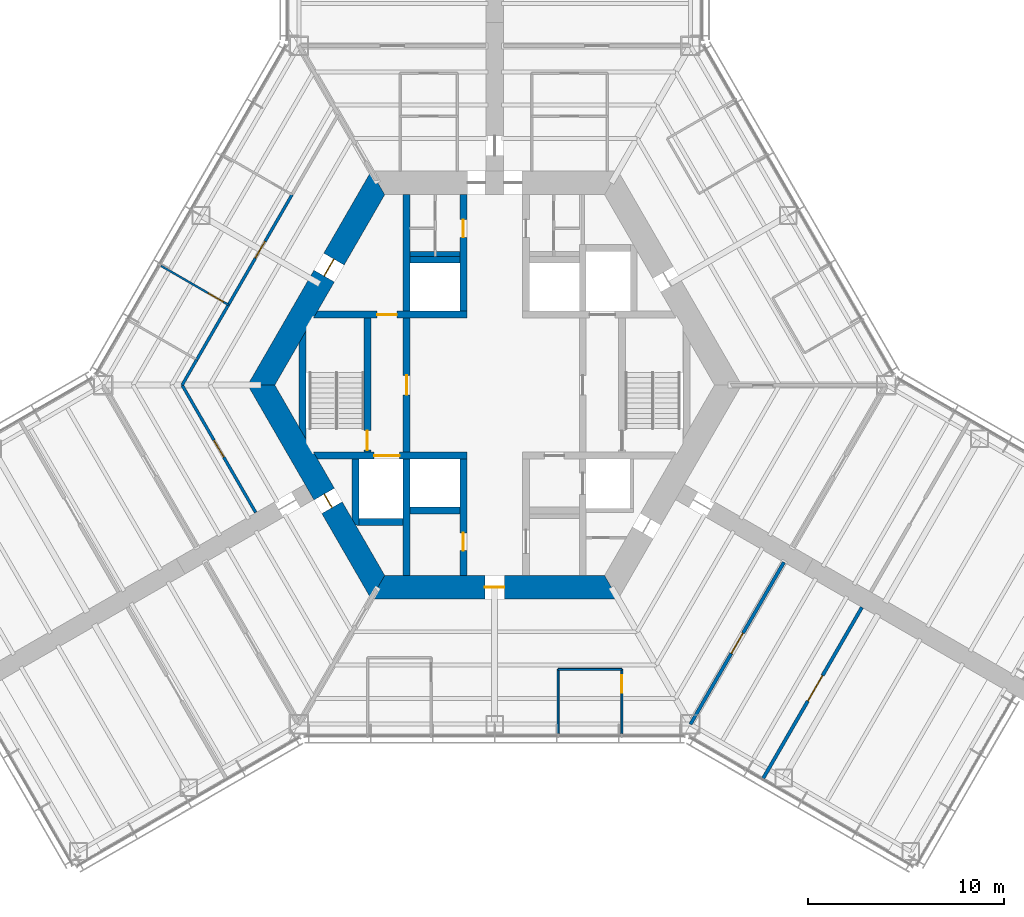
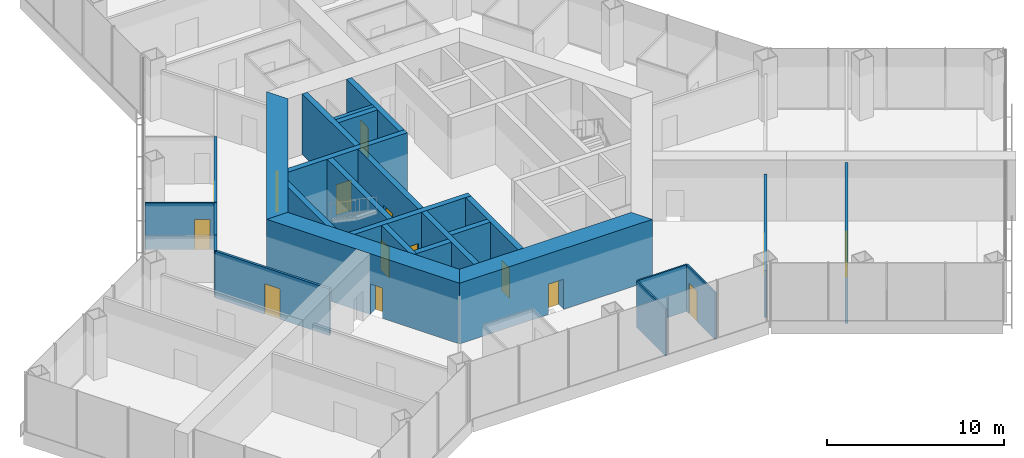
# One storey, part 11 of 17: 27 walls, 15 doors, 15 openings.
"""IFC4 building model written with IfcOpenShell, lengths in metres."""

from ifc_helpers import new_model, si_unit, direction, frame, frame_2d, origin, place, context, subcontext, project, spatial, polyline, rectangle, outline, extrude, material, layer, layer_set, type_object, element, fill, save


model = new_model("IFC4")

# Units and contexts
model_context = context("Model", 3, precision=1e-05, world=origin(), true_north=direction((0.0, 1.0)))
body_context = subcontext(model_context, "Body", "Model", "MODEL_VIEW")
ifc_project = project(units=[si_unit("LENGTHUNIT", "METRE"), si_unit("AREAUNIT", "SQUARE_METRE"), si_unit("VOLUMEUNIT", "CUBIC_METRE"), si_unit("PLANEANGLEUNIT", "RADIAN"), si_unit("MASSUNIT", "GRAM", prefix="KILO")], contexts=[model_context])

# Site, building, storey
site_placement = place(None, origin())
site = spatial("IfcSite", under=ifc_project, at=site_placement, CompositionType="ELEMENT")
building_placement = place(site_placement, origin())
building = spatial("IfcBuilding", under=site, at=building_placement, Name="Kasaneha Research Tower", CompositionType="ELEMENT")
storey_placement = place(building_placement, frame((0.0, 0.0, 43.60009765625)))
storey = spatial("IfcBuildingStorey", under=building, at=storey_placement, Name="L11", CompositionType="ELEMENT", Elevation=43.60009765625)

# Wall, opening, door
ifc_material_1 = material(Name="Concrete Fc100", Category="concrete")
ifc_layer_1 = layer(ifc_material_1, 0.35009765625)
ifc_layer_set_1 = layer_set([ifc_layer_1], Name="Core internal wall 350 Fc100")
wall_type_1 = type_object("IfcWallType", Name="Core internal wall 350 Fc100", PredefinedType="SHEAR", material=ifc_layer_set_1)
wall_1_placement = place(storey_placement, frame((-9.151123046875, 3.60009765625, 0.0), z_axis=(0.0, 0.0, 1.0), x_axis=(1.0, 0.0, 0.0)))
wall_1 = element("IfcWall", 1, at=wall_1_placement, inside=storey, type_object=wall_type_1, Name="Core wall W1W L11", PredefinedType="SHEAR", context=body_context, shape_type="SweptSolid", body=[
    extrude(outline(polyline([(-0.10107421875, -0.175048828125), (3.151123046875, -0.175048828125), (4.151123046875, -0.175048828125), (7.72607421875, -0.175048828125), (7.72607421875, 0.175048828125), (4.151123046875, 0.175048828125), (3.151123046875, 0.175048828125), (0.10107421875, 0.175048828125), (-0.10107421875, -0.175048828125)])), origin(), (0.0, 0.0, 1.0), 4.199951171875),
])
opening_1_placement = place(wall_1_placement, frame((3.151123046875, 0.0, 0.0)))
opening_1 = element("IfcOpeningElement", 2, at=opening_1_placement, cuts=wall_1, Name="Opening L11-D12", PredefinedType="OPENING", context=body_context, shape_type="SweptSolid", body=[
    extrude(rectangle(XDim=1.0, YDim=2.10009765625, at=frame_2d((0.5, 1.050048828125))), frame((0.0, 0.18505859375, 0.0), z_axis=(0.0, -1.0, 0.0), x_axis=(1.0, 0.0, 0.0)), (0.0, 0.0, 1.0), 0.3701171875),
])
ifc_material_2 = material(Name="Steel", Category="steel")
door_type_1 = type_object("IfcDoorType", Name="Specified fire door FD60 1000x2100", OperationType="NOTDEFINED", PredefinedType="DOOR", material=ifc_material_2)
door_1_placement = place(opening_1_placement, origin())
door_1 = element("IfcDoor", 3, at=door_1_placement, inside=storey, type_object=door_type_1, Name="Vestibule to lobby door L11-D12", OperationType="SINGLE_SWING_LEFT", OverallHeight=2.10009765625, OverallWidth=1.0, PredefinedType="DOOR", context=body_context, shape_type="SweptSolid", body=[
    extrude(rectangle(XDim=1.0, YDim=2.10009765625, at=frame_2d((0.5, 1.050048828125))), frame((0.0, 0.02490234375, 0.0), z_axis=(0.0, -1.0, 0.0), x_axis=(1.0, 0.0, 0.0)), (0.0, 0.0, 1.0), 0.050048828125),
])
fill(opening_1, door_1)

wall_2_placement = place(storey_placement, frame((-9.151123046875, -3.60009765625, 0.0), z_axis=(0.0, 0.0, 1.0), x_axis=(1.0, 0.0, 0.0)))
wall_2 = element("IfcWall", 4, at=wall_2_placement, inside=storey, type_object=wall_type_1, Name="Core wall W2W L11", PredefinedType="SHEAR", context=body_context, shape_type="SweptSolid", body=[
    extrude(outline(polyline([(0.10107421875, -0.175048828125), (3.0009765625, -0.175048828125), (4.301025390625, -0.175048828125), (7.72607421875, -0.175048828125), (7.72607421875, 0.175048828125), (4.301025390625, 0.175048828125), (3.0009765625, 0.175048828125), (-0.10107421875, 0.175048828125), (0.10107421875, -0.175048828125)])), origin(), (0.0, 0.0, 1.0), 4.199951171875),
])
opening_2_placement = place(wall_2_placement, frame((3.0009765625, 0.0, 0.0)))
opening_2 = element("IfcOpeningElement", 5, at=opening_2_placement, cuts=wall_2, Name="Opening LD-FL2-L11", PredefinedType="OPENING", context=body_context, shape_type="SweptSolid", body=[
    extrude(rectangle(XDim=1.300048828125, YDim=2.10009765625, at=frame_2d((0.64990234375, 1.050048828125))), frame((0.0, 0.18505859375, 0.0), z_axis=(0.0, -1.0, 0.0), x_axis=(1.0, 0.0, 0.0)), (0.0, 0.0, 1.0), 0.3701171875),
])
ifc_material_3 = material(Name="Steel", Category="steel")
door_type_2 = type_object("IfcDoorType", Name="Lift landing door 1300x2100", OperationType="DOUBLE_DOOR_SLIDING", PredefinedType="DOOR", material=ifc_material_3)
door_2_placement = place(opening_2_placement, origin())
door_2 = element("IfcDoor", 6, at=door_2_placement, inside=storey, type_object=door_type_2, Name="Landing door FL2 LD-FL2-L11", OperationType="DOUBLE_DOOR_SLIDING", OverallHeight=2.10009765625, OverallWidth=1.300048828125, PredefinedType="DOOR", context=body_context, shape_type="SweptSolid", body=[
    extrude(rectangle(XDim=1.300048828125, YDim=2.10009765625, at=frame_2d((0.64990234375, 1.050048828125))), frame((0.0, 0.02490234375, 0.0), z_axis=(0.0, -1.0, 0.0), x_axis=(1.0, 0.0, 0.0)), (0.0, 0.0, 1.0), 0.050048828125),
])
fill(opening_2, door_2)

wall_3_placement = place(storey_placement, frame((-1.60009765625, 3.77490234375, 0.0), z_axis=(0.0, 0.0, 1.0), x_axis=(0.0, 1.0, 0.0)))
wall_3 = element("IfcWall", 7, at=wall_3_placement, inside=storey, type_object=wall_type_1, Name="Core wall CNW L11", PredefinedType="SHEAR", context=body_context, shape_type="SweptSolid", body=[
    extrude(rectangle(XDim=5.9501953125, YDim=0.35009765625, at=frame_2d((2.97509765625, 0.0))), origin(), (0.0, 0.0, 1.0), 4.199951171875),
])
opening_3_placement = place(wall_3_placement, frame((3.77490234375, 0.0, 0.0)))
opening_3 = element("IfcOpeningElement", 8, at=opening_3_placement, cuts=wall_3, Name="Opening L11-D13", PredefinedType="OPENING", context=body_context, shape_type="SweptSolid", body=[
    extrude(rectangle(XDim=0.89990234375, YDim=2.10009765625, at=frame_2d((0.449951171875, 1.050048828125))), frame((0.0, 0.18505859375, 0.0), z_axis=(0.0, -1.0, 0.0), x_axis=(1.0, 0.0, 0.0)), (0.0, 0.0, 1.0), 0.3701171875),
])
ifc_material_4 = material(Name="Steel", Category="steel")
door_type_3 = type_object("IfcDoorType", Name="Toilet door FD20 900x2100", OperationType="NOTDEFINED", PredefinedType="DOOR", material=ifc_material_4)
door_3_placement = place(opening_3_placement, origin())
door_3 = element("IfcDoor", 9, at=door_3_placement, inside=storey, type_object=door_type_3, Name="Men's WC door L11-D13", OperationType="SINGLE_SWING_LEFT", OverallHeight=2.10009765625, OverallWidth=0.89990234375, PredefinedType="DOOR", context=body_context, shape_type="SweptSolid", body=[
    extrude(rectangle(XDim=0.89990234375, YDim=2.10009765625, at=frame_2d((0.449951171875, 1.050048828125))), frame((0.0, 0.02490234375, 0.0), z_axis=(0.0, -1.0, 0.0), x_axis=(1.0, 0.0, 0.0)), (0.0, 0.0, 1.0), 0.050048828125),
])
fill(opening_3, door_3)

wall_4_placement = place(storey_placement, frame((-1.60009765625, -3.77490234375, 0.0), z_axis=(0.0, 0.0, 1.0), x_axis=(0.0, -1.0, 0.0)))
wall_4 = element("IfcWall", 10, at=wall_4_placement, inside=storey, type_object=wall_type_1, Name="Core wall CSW L11", PredefinedType="SHEAR", context=body_context, shape_type="SweptSolid", body=[
    extrude(rectangle(XDim=5.9501953125, YDim=0.35009765625, at=frame_2d((2.97509765625, 0.0))), origin(), (0.0, 0.0, 1.0), 4.199951171875),
])
opening_4_placement = place(wall_4_placement, frame((3.77490234375, 0.0, 0.0)))
opening_4 = element("IfcOpeningElement", 11, at=opening_4_placement, cuts=wall_4, Name="Opening L11-D16", PredefinedType="OPENING", context=body_context, shape_type="SweptSolid", body=[
    extrude(rectangle(XDim=0.89990234375, YDim=2.10009765625, at=frame_2d((0.449951171875, 1.050048828125))), frame((0.0, 0.18505859375, 0.0), z_axis=(0.0, -1.0, 0.0), x_axis=(1.0, 0.0, 0.0)), (0.0, 0.0, 1.0), 0.3701171875),
])
ifc_material_5 = material(Name="Steel", Category="steel")
door_type_4 = type_object("IfcDoorType", Name="Riser access door FD60 900x2100", OperationType="NOTDEFINED", PredefinedType="DOOR", material=ifc_material_5)
door_4_placement = place(opening_4_placement, origin())
door_4 = element("IfcDoor", 12, at=door_4_placement, inside=storey, type_object=door_type_4, Name="Electrical riser door L11-D16", OperationType="SINGLE_SWING_LEFT", OverallHeight=2.10009765625, OverallWidth=0.89990234375, PredefinedType="DOOR", context=body_context, shape_type="SweptSolid", body=[
    extrude(rectangle(XDim=0.89990234375, YDim=2.10009765625, at=frame_2d((0.449951171875, 1.050048828125))), frame((0.0, 0.02490234375, 0.0), z_axis=(0.0, -1.0, 0.0), x_axis=(1.0, 0.0, 0.0)), (0.0, 0.0, 1.0), 0.050048828125),
])
fill(opening_4, door_4)

wall_5_placement = place(storey_placement, frame((-4.5, -3.425048828125, 0.0), z_axis=(0.0, 0.0, 1.0), x_axis=(0.0, 1.0, 0.0)))
wall_5 = element("IfcWall", 13, at=wall_5_placement, inside=storey, type_object=wall_type_1, Name="Core wall LBW L11", PredefinedType="SHEAR", context=body_context, shape_type="SweptSolid", body=[
    extrude(rectangle(XDim=6.85009765625, YDim=0.35009765625, at=frame_2d((3.425048828125, 0.0))), origin(), (0.0, 0.0, 1.0), 4.199951171875),
])
opening_5_placement = place(wall_5_placement, frame((2.925048828125, 0.0, 0.0)))
opening_5 = element("IfcOpeningElement", 14, at=opening_5_placement, cuts=wall_5, Name="Opening L11-D09", PredefinedType="OPENING", context=body_context, shape_type="SweptSolid", body=[
    extrude(rectangle(XDim=1.0, YDim=2.10009765625, at=frame_2d((0.5, 1.050048828125))), frame((0.0, 0.18505859375, 0.0), z_axis=(0.0, -1.0, 0.0), x_axis=(1.0, 0.0, 0.0)), (0.0, 0.0, 1.0), 0.3701171875),
])
door_5_placement = place(opening_5_placement, origin())
door_5 = element("IfcDoor", 15, at=door_5_placement, inside=storey, type_object=door_type_1, Name="Lift lobby door west L11-D09", OperationType="SINGLE_SWING_LEFT", OverallHeight=2.10009765625, OverallWidth=1.0, PredefinedType="DOOR", context=body_context, shape_type="SweptSolid", body=[
    extrude(rectangle(XDim=1.0, YDim=2.10009765625, at=frame_2d((0.5, 1.050048828125))), frame((0.0, 0.02490234375, 0.0), z_axis=(0.0, -1.0, 0.0), x_axis=(1.0, 0.0, 0.0)), (0.0, 0.0, 1.0), 0.050048828125),
])
fill(opening_5, door_5)

wall_6_placement = place(storey_placement, frame((-6.5, -3.425048828125, 0.0), z_axis=(0.0, 0.0, 1.0), x_axis=(0.0, 1.0, 0.0)))
wall_6 = element("IfcWall", 16, at=wall_6_placement, inside=storey, type_object=wall_type_1, Name="Core wall ANW L11", PredefinedType="SHEAR", context=body_context, shape_type="SweptSolid", body=[
    extrude(rectangle(XDim=6.85009765625, YDim=0.35009765625, at=frame_2d((3.425048828125, 0.0))), origin(), (0.0, 0.0, 1.0), 4.199951171875),
])
opening_6_placement = place(wall_6_placement, frame((0.10009765625, 0.0, 0.0)))
opening_6 = element("IfcOpeningElement", 17, at=opening_6_placement, cuts=wall_6, Name="Opening L11-D11", PredefinedType="OPENING", context=body_context, shape_type="SweptSolid", body=[
    extrude(rectangle(XDim=1.0, YDim=2.10009765625, at=frame_2d((0.5, 1.050048828125))), frame((0.0, 0.18505859375, 0.0), z_axis=(0.0, -1.0, 0.0), x_axis=(1.0, 0.0, 0.0)), (0.0, 0.0, 1.0), 0.3701171875),
])
door_6_placement = place(opening_6_placement, origin())
door_6 = element("IfcDoor", 18, at=door_6_placement, inside=storey, type_object=door_type_1, Name="Stair 2 door L11-D11", OperationType="SINGLE_SWING_LEFT", OverallHeight=2.10009765625, OverallWidth=1.0, PredefinedType="DOOR", context=body_context, shape_type="SweptSolid", body=[
    extrude(rectangle(XDim=1.0, YDim=2.10009765625, at=frame_2d((0.5, 1.050048828125))), frame((0.0, 0.02490234375, 0.0), z_axis=(0.0, -1.0, 0.0), x_axis=(1.0, 0.0, 0.0)), (0.0, 0.0, 1.0), 0.050048828125),
])
fill(opening_6, door_6)

# Walls
for number, where, z_axis, x_axis, name in (
    (19, (-4.5, 3.77490234375, 0.0), (0.0, 0.0, 1.0), (0.0, 1.0, 0.0), "Core wall VNW L11"),
    (20, (-4.5, -3.77490234375, 0.0), (0.0, 0.0, 1.0), (0.0, -1.0, 0.0), "Core wall SSW L11"),
):
    element("IfcWall", number, at=place(storey_placement, frame(where, z_axis=z_axis, x_axis=x_axis)), inside=storey, type_object=wall_type_1, Name=name, PredefinedType="SHEAR", context=body_context, shape_type="SweptSolid", body=[
        extrude(rectangle(XDim=5.9501953125, YDim=0.35009765625, at=frame_2d((2.97509765625, 0.0))), origin(), (0.0, 0.0, 1.0), 4.199951171875),
    ])
for number, where, z_axis, x_axis, name in (
    (21, (-4.324951171875, 6.39990234375, 0.0), (0.0, 0.0, 1.0), (1.0, 0.0, 0.0), "Core wall N1N L11"),
    (22, (-4.324951171875, -6.39990234375, 0.0), (0.0, 0.0, 1.0), (1.0, 0.0, 0.0), "Core wall S1S L11"),
):
    element("IfcWall", number, at=place(storey_placement, frame(where, z_axis=z_axis, x_axis=x_axis)), inside=storey, type_object=wall_type_1, Name=name, PredefinedType="SHEAR", context=body_context, shape_type="SweptSolid", body=[
        extrude(rectangle(XDim=2.550048828125, YDim=0.35009765625, at=frame_2d((1.27490234375, 0.0))), origin(), (0.0, 0.0, 1.0), 4.199951171875),
    ])
wall_7_placement = place(storey_placement, frame((-6.925048828125, -7.0, 0.0), z_axis=(0.0, 0.0, 1.0), x_axis=(1.0, 0.0, 0.0)))
element("IfcWall", 23, at=wall_7_placement, inside=storey, type_object=wall_type_1, Name="Core wall F2S L11", PredefinedType="SHEAR", context=body_context, shape_type="SweptSolid", body=[
    extrude(rectangle(XDim=2.25, YDim=0.35009765625, at=frame_2d((1.125, 0.0))), origin(), (0.0, 0.0, 1.0), 4.199951171875),
])
wall_8_placement = place(storey_placement, frame((-7.10009765625, -3.77490234375, 0.0), z_axis=(0.0, 0.0, 1.0), x_axis=(0.0, -1.0, 0.0)))
element("IfcWall", 24, at=wall_8_placement, inside=storey, type_object=wall_type_1, Name="Core wall F2W L11", PredefinedType="SHEAR", context=body_context, shape_type="SweptSolid", body=[
    extrude(outline(polyline([(0.0, -0.175048828125), (3.07421875, -0.175048828125), (3.37744140625, 0.0), (3.39990234375, 0.175048828125), (0.0, 0.175048828125), (0.0, -0.175048828125)])), origin(), (0.0, 0.0, 1.0), 4.199951171875),
])
wall_9_placement = place(storey_placement, frame((-9.807861328125, -2.462158203125, 0.0), z_axis=(0.0, 0.0, 1.0), x_axis=(0.0, 1.0, 0.0)))
element("IfcWall", 25, at=wall_9_placement, inside=storey, type_object=wall_type_1, Name="Core wall STW L11", PredefinedType="SHEAR", context=body_context, shape_type="SweptSolid", body=[
    extrude(outline(polyline([(-0.30322265625, -0.175048828125), (5.2275390625, -0.175048828125), (4.62109375, 0.175048828125), (0.30322265625, 0.175048828125), (-0.30322265625, -0.175048828125)])), origin(), (0.0, 0.0, 1.0), 4.199951171875),
])

# Wall, opening, door
ifc_material_6 = material(Name="Concrete Fc100", Category="concrete")
ifc_layer_2 = layer(ifc_material_6, 1.199951171875)
ifc_layer_set_2 = layer_set([ifc_layer_2], Name="Core wall 1200 Fc100")
wall_type_2 = type_object("IfcWallType", Name="Core wall 1200 Fc100", PredefinedType="SHEAR", material=ifc_layer_set_2)
wall_10_placement = place(storey_placement, frame((-5.961181640625, 10.324951171875, 0.0), z_axis=(0.0, 0.0, 1.0), x_axis=(-0.500004296715, -0.866022923061, 0.0)))
wall_10 = element("IfcWall", 26, at=wall_10_placement, inside=storey, type_object=wall_type_2, Name="Core wall 150 L11", PredefinedType="SHEAR", context=body_context, shape_type="SweptSolid", body=[
    extrude(outline(polyline([(-0.346435546875, -0.60009765625), (4.494140625, -0.60009765625), (5.494140625, -0.60009765625), (12.268798828125, -0.60009765625), (11.575927734375, 0.60009765625), (5.494140625, 0.60009765625), (4.494140625, 0.60009765625), (0.346435546875, 0.60009765625), (-0.346435546875, -0.60009765625)])), origin(), (0.0, 0.0, 1.0), 4.199951171875),
])
opening_7_placement = place(wall_10_placement, frame((4.494140625, 0.0, 0.0)))
opening_7 = element("IfcOpeningElement", 27, at=opening_7_placement, cuts=wall_10, Name="Opening L11-D07", PredefinedType="OPENING", context=body_context, shape_type="SweptSolid", body=[
    extrude(rectangle(XDim=1.0, YDim=2.10009765625, at=frame_2d((0.5, 1.050048828125))), frame((0.0, 0.60986328125, 0.0), z_axis=(0.0, -1.0, 0.0), x_axis=(1.0, 0.0, 0.0)), (0.0, 0.0, 1.0), 1.219970703125),
])
ifc_material_7 = material(Name="Steel", Category="steel")
door_type_5 = type_object("IfcDoorType", Name="Fire door FD20 1000x2100", OperationType="NOTDEFINED", PredefinedType="DOOR", material=ifc_material_7)
door_7_placement = place(opening_7_placement, origin())
door_7 = element("IfcDoor", 28, at=door_7_placement, inside=storey, type_object=door_type_5, Name="Vestibule door L11-D07", OperationType="SINGLE_SWING_LEFT", OverallHeight=2.10009765625, OverallWidth=1.0, PredefinedType="DOOR", context=body_context, shape_type="SweptSolid", body=[
    extrude(rectangle(XDim=1.0, YDim=2.10009765625, at=frame_2d((0.5, 1.050048828125))), frame((0.0, 0.02490234375, 0.0), z_axis=(0.0, -1.0, 0.0), x_axis=(1.0, 0.0, 0.0)), (0.0, 0.0, 1.0), 0.050048828125),
])
fill(opening_7, door_7)

wall_11_placement = place(storey_placement, frame((-11.92236328125, 0.0, 0.0), z_axis=(0.0, 0.0, 1.0), x_axis=(0.500004296715, -0.866022923061, 0.0)))
wall_11 = element("IfcWall", 29, at=wall_11_placement, inside=storey, type_object=wall_type_2, Name="Core wall 210 L11", PredefinedType="SHEAR", context=body_context, shape_type="SweptSolid", body=[
    extrude(outline(polyline([(-0.346435546875, -0.60009765625), (6.43115234375, -0.60009765625), (7.231201171875, -0.60009765625), (12.268798828125, -0.60009765625), (11.575927734375, 0.60009765625), (7.231201171875, 0.60009765625), (6.43115234375, 0.60009765625), (0.346435546875, 0.60009765625), (-0.346435546875, -0.60009765625)])), origin(), (0.0, 0.0, 1.0), 4.199951171875),
])
opening_8_placement = place(wall_11_placement, frame((6.43115234375, 0.0, 0.0)))
opening_8 = element("IfcOpeningElement", 30, at=opening_8_placement, cuts=wall_11, Name="Opening L11-D06", PredefinedType="OPENING", context=body_context, shape_type="SweptSolid", body=[
    extrude(rectangle(XDim=0.800048828125, YDim=2.10009765625, at=frame_2d((0.39990234375, 1.050048828125))), frame((0.0, 0.60986328125, 0.0), z_axis=(0.0, -1.0, 0.0), x_axis=(1.0, 0.0, 0.0)), (0.0, 0.0, 1.0), 1.219970703125),
])
ifc_material_8 = material(Name="Steel", Category="steel")
door_type_6 = type_object("IfcDoorType", Name="Riser access door FD60 800x2100", OperationType="NOTDEFINED", PredefinedType="DOOR", material=ifc_material_8)
door_8_placement = place(opening_8_placement, origin())
door_8 = element("IfcDoor", 31, at=door_8_placement, inside=storey, type_object=door_type_6, Name="Duct riser door L11-D06", OperationType="SINGLE_SWING_RIGHT", OverallHeight=2.10009765625, OverallWidth=0.800048828125, PredefinedType="DOOR", context=body_context, shape_type="SweptSolid", body=[
    extrude(rectangle(XDim=0.800048828125, YDim=2.10009765625, at=frame_2d((0.39990234375, 1.050048828125))), frame((0.0, 0.02490234375, 0.0), z_axis=(0.0, -1.0, 0.0), x_axis=(1.0, 0.0, 0.0)), (0.0, 0.0, 1.0), 0.050048828125),
])
fill(opening_8, door_8)

wall_12_placement = place(storey_placement, frame((-5.961181640625, -10.324951171875, 0.0), z_axis=(0.0, 0.0, 1.0), x_axis=(1.0, 0.0, 0.0)))
wall_12 = element("IfcWall", 32, at=wall_12_placement, inside=storey, type_object=wall_type_2, Name="Core wall 270 L11", PredefinedType="SHEAR", context=body_context, shape_type="SweptSolid", body=[
    extrude(outline(polyline([(-0.346435546875, -0.60009765625), (5.461181640625, -0.60009765625), (6.461181640625, -0.60009765625), (12.268798828125, -0.60009765625), (11.575927734375, 0.60009765625), (6.461181640625, 0.60009765625), (5.461181640625, 0.60009765625), (0.346435546875, 0.60009765625), (-0.346435546875, -0.60009765625)])), origin(), (0.0, 0.0, 1.0), 4.199951171875),
])
opening_9_placement = place(wall_12_placement, frame((5.461181640625, 0.0, 0.0)))
opening_9 = element("IfcOpeningElement", 33, at=opening_9_placement, cuts=wall_12, Name="Opening L11-D03", PredefinedType="OPENING", context=body_context, shape_type="SweptSolid", body=[
    extrude(rectangle(XDim=1.0, YDim=2.10009765625, at=frame_2d((0.5, 1.050048828125))), frame((0.0, 0.60986328125, 0.0), z_axis=(0.0, -1.0, 0.0), x_axis=(1.0, 0.0, 0.0)), (0.0, 0.0, 1.0), 1.219970703125),
])
door_9_placement = place(opening_9_placement, origin())
door_9 = element("IfcDoor", 34, at=door_9_placement, inside=storey, type_object=door_type_5, Name="Core door south L11-D03", OperationType="SINGLE_SWING_LEFT", OverallHeight=2.10009765625, OverallWidth=1.0, PredefinedType="DOOR", context=body_context, shape_type="SweptSolid", body=[
    extrude(rectangle(XDim=1.0, YDim=2.10009765625, at=frame_2d((0.5, 1.050048828125))), frame((0.0, 0.02490234375, 0.0), z_axis=(0.0, -1.0, 0.0), x_axis=(1.0, 0.0, 0.0)), (0.0, 0.0, 1.0), 0.050048828125),
])
fill(opening_9, door_9)

ifc_material_9 = material(Name="Gypsum board on steel studs, two layers each side", Category="steel")
ifc_layer_3 = layer(ifc_material_9, 0.175048828125)
ifc_layer_set_3 = layer_set([ifc_layer_3], Name="Laboratory fire partition 175")
wall_type_3 = type_object("IfcWallType", Name="Laboratory fire partition 175", PredefinedType="PARTITIONING", material=ifc_layer_set_3)
wall_13_placement = place(storey_placement, frame((14.77490234375, -9.050048828125, 0.0), z_axis=(0.0, 0.0, 1.0), x_axis=(-0.499993908199, -0.866028920859, 0.0)))
wall_13 = element("IfcWall", 35, at=wall_13_placement, inside=storey, type_object=wall_type_3, Name="Laboratory fire partition LABC-S L11", PredefinedType="PARTITIONING", context=body_context, shape_type="SweptSolid", body=[
    extrude(rectangle(XDim=9.5498046875, YDim=0.175048828125, at=frame_2d((4.77490234375, 0.0))), origin(), (0.0, 0.0, 1.0), 3.23779296875),
])
opening_10_placement = place(wall_13_placement, frame((4.175048828125, 0.0, 0.0)))
opening_10 = element("IfcOpeningElement", 36, at=opening_10_placement, cuts=wall_13, Name="Opening L11-D48", PredefinedType="OPENING", context=body_context, shape_type="SweptSolid", body=[
    extrude(rectangle(XDim=1.199951171875, YDim=2.10009765625, at=frame_2d((0.60009765625, 1.050048828125))), frame((0.0, 0.09765625, 0.0), z_axis=(0.0, -1.0, 0.0), x_axis=(1.0, 0.0, 0.0)), (0.0, 0.0, 1.0), 0.195068359375),
])
ifc_material_10 = material(Name="Steel", Category="steel")
door_type_7 = type_object("IfcDoorType", Name="Laboratory door FD60 1200x2100", OperationType="DOUBLE_DOOR_SINGLE_SWING", PredefinedType="DOOR", material=ifc_material_10)
door_10_placement = place(opening_10_placement, origin())
door_10 = element("IfcDoor", 37, at=door_10_placement, inside=storey, type_object=door_type_7, Name="Laboratory door L11-D48", OperationType="DOUBLE_DOOR_SINGLE_SWING", OverallHeight=2.10009765625, OverallWidth=1.199951171875, PredefinedType="DOOR", context=body_context, shape_type="SweptSolid", body=[
    extrude(rectangle(XDim=1.199951171875, YDim=2.10009765625, at=frame_2d((0.60009765625, 1.050048828125))), frame((0.0, 0.02490234375, 0.0), z_axis=(0.0, -1.0, 0.0), x_axis=(1.0, 0.0, 0.0)), (0.0, 0.0, 1.0), 0.050048828125),
])
fill(opening_10, door_10)

wall_14_placement = place(storey_placement, frame((18.7587890625, -11.349853515625, 0.0), z_axis=(0.0, 0.0, 1.0), x_axis=(-0.500005203629, -0.866022399447, 0.0)))
wall_14 = element("IfcWall", 38, at=wall_14_placement, inside=storey, type_object=wall_type_3, Name="Laboratory fire partition INSC-S L11", PredefinedType="PARTITIONING", context=body_context, shape_type="SweptSolid", body=[
    extrude(rectangle(XDim=10.14013671875, YDim=0.175048828125, at=frame_2d((5.070068359375, 0.0))), origin(), (0.0, 0.0, 1.0), 4.02978515625),
])
opening_11_placement = place(wall_14_placement, frame((4.02490234375, 0.0, 0.0)))
opening_11 = element("IfcOpeningElement", 39, at=opening_11_placement, cuts=wall_14, Name="Opening L11-D51", PredefinedType="OPENING", context=body_context, shape_type="SweptSolid", body=[
    extrude(rectangle(XDim=1.5, YDim=2.10009765625, at=frame_2d((0.75, 1.050048828125))), frame((0.0, 0.09765625, 0.0), z_axis=(0.0, -1.0, 0.0), x_axis=(1.0, 0.0, 0.0)), (0.0, 0.0, 1.0), 0.195068359375),
])
ifc_material_11 = material(Name="Steel", Category="steel")
door_type_8 = type_object("IfcDoorType", Name="Laboratory door FD60 1500x2100", OperationType="DOUBLE_DOOR_SINGLE_SWING", PredefinedType="DOOR", material=ifc_material_11)
door_11_placement = place(opening_11_placement, origin())
door_11 = element("IfcDoor", 40, at=door_11_placement, inside=storey, type_object=door_type_8, Name="Instrument room door L11-D51", OperationType="DOUBLE_DOOR_SINGLE_SWING", OverallHeight=2.10009765625, OverallWidth=1.5, PredefinedType="DOOR", context=body_context, shape_type="SweptSolid", body=[
    extrude(rectangle(XDim=1.5, YDim=2.10009765625, at=frame_2d((0.75, 1.050048828125))), frame((0.0, 0.02490234375, 0.0), z_axis=(0.0, -1.0, 0.0), x_axis=(1.0, 0.0, 0.0)), (0.0, 0.0, 1.0), 0.050048828125),
])
fill(opening_11, door_11)

ifc_material_12 = material(Name="Gypsum board on steel studs, one layer each side", Category="steel")
ifc_layer_4 = layer(ifc_material_12, 0.10009765625)
ifc_layer_set_4 = layer_set([ifc_layer_4], Name="Office partition 100")
wall_type_4 = type_object("IfcWallType", Name="Office partition 100", PredefinedType="PARTITIONING", material=ifc_layer_set_4)
wall_15_placement = place(storey_placement, frame((-17.038818359375, 6.0888671875, 0.0), z_axis=(0.0, 0.0, 1.0), x_axis=(0.865455715078, -0.500985434159, 0.0)))
wall_15 = element("IfcWall", 41, at=wall_15_placement, inside=storey, type_object=wall_type_4, Name="Office partition FBN08 L11", PredefinedType="PARTITIONING", context=body_context, shape_type="SweptSolid", body=[
    extrude(rectangle(XDim=3.9755859375, YDim=0.10009765625, at=frame_2d((1.98779296875, 0.0))), origin(), (0.0, 0.0, 1.0), 3.22998046875),
])
opening_12_placement = place(wall_15_placement, frame((2.775634765625, 0.0, 0.0)))
opening_12 = element("IfcOpeningElement", 42, at=opening_12_placement, cuts=wall_15, Name="Opening L11-D42", PredefinedType="OPENING", context=body_context, shape_type="SweptSolid", body=[
    extrude(rectangle(XDim=0.89990234375, YDim=2.10009765625, at=frame_2d((0.449951171875, 1.050048828125))), frame((0.0, 0.06005859375, 0.0), z_axis=(0.0, -1.0, 0.0), x_axis=(1.0, 0.0, 0.0)), (0.0, 0.0, 1.0), 0.1201171875),
])
ifc_material_13 = material(Name="Timber veneer", Category="wood")
door_type_9 = type_object("IfcDoorType", Name="Office door 900x2100", OperationType="SINGLE_SWING_LEFT", PredefinedType="DOOR", material=ifc_material_13)
door_12_placement = place(opening_12_placement, origin())
door_12 = element("IfcDoor", 43, at=door_12_placement, inside=storey, type_object=door_type_9, Name="Principal investigator office door L11-D42", OperationType="SINGLE_SWING_RIGHT", OverallHeight=2.10009765625, OverallWidth=0.89990234375, PredefinedType="DOOR", context=body_context, shape_type="SweptSolid", body=[
    extrude(rectangle(XDim=0.89990234375, YDim=2.10009765625, at=frame_2d((0.449951171875, 1.050048828125))), frame((0.0, 0.02490234375, 0.0), z_axis=(0.0, -1.0, 0.0), x_axis=(1.0, 0.0, 0.0)), (0.0, 0.0, 1.0), 0.050048828125),
])
fill(opening_12, door_12)

# Walls
wall_16_placement = place(storey_placement, frame((3.246337890625, -17.800537109375, 0.0), z_axis=(0.0, 0.0, 1.0), x_axis=(0.0, 1.0, 0.0)))
element("IfcWall", 44, at=wall_16_placement, inside=storey, type_object=wall_type_4, Name="Office partition FCS04 L11", PredefinedType="PARTITIONING", context=body_context, shape_type="SweptSolid", body=[
    extrude(rectangle(XDim=3.280029296875, YDim=0.10009765625, at=frame_2d((1.64013671875, 0.0))), origin(), (0.0, 0.0, 1.0), 3.22998046875),
])
wall_17_placement = place(storey_placement, frame((3.246337890625, -14.5205078125, 0.0), z_axis=(0.0, 0.0, 1.0), x_axis=(1.0, 0.0, 0.0)))
element("IfcWall", 45, at=wall_17_placement, inside=storey, type_object=wall_type_4, Name="Office partition FCS05 L11", PredefinedType="PARTITIONING", context=body_context, shape_type="SweptSolid", body=[
    extrude(rectangle(XDim=3.24658203125, YDim=0.10009765625, at=frame_2d((1.623291015625, 0.0))), origin(), (0.0, 0.0, 1.0), 3.22998046875),
])

# Wall, opening, door
wall_18_placement = place(storey_placement, frame((6.492919921875, -14.5205078125, 0.0), z_axis=(0.0, 0.0, 1.0), x_axis=(0.0, -1.0, 0.0)))
wall_18 = element("IfcWall", 46, at=wall_18_placement, inside=storey, type_object=wall_type_4, Name="Office partition FCS06 L11", PredefinedType="PARTITIONING", context=body_context, shape_type="SweptSolid", body=[
    extrude(rectangle(XDim=3.280029296875, YDim=0.10009765625, at=frame_2d((1.64013671875, 0.0))), origin(), (0.0, 0.0, 1.0), 3.22998046875),
])
opening_13_placement = place(wall_18_placement, frame((0.300048828125, 0.0, 0.0)))
opening_13 = element("IfcOpeningElement", 47, at=opening_13_placement, cuts=wall_18, Name="Opening L11-D50", PredefinedType="OPENING", context=body_context, shape_type="SweptSolid", body=[
    extrude(rectangle(XDim=0.89990234375, YDim=2.10009765625, at=frame_2d((0.449951171875, 1.050048828125))), frame((0.0, 0.06005859375, 0.0), z_axis=(0.0, -1.0, 0.0), x_axis=(1.0, 0.0, 0.0)), (0.0, 0.0, 1.0), 0.1201171875),
])
door_13_placement = place(opening_13_placement, origin())
door_13 = element("IfcDoor", 48, at=door_13_placement, inside=storey, type_object=door_type_9, Name="Principal investigator office door L11-D50", OperationType="SINGLE_SWING_LEFT", OverallHeight=2.10009765625, OverallWidth=0.89990234375, PredefinedType="DOOR", context=body_context, shape_type="SweptSolid", body=[
    extrude(rectangle(XDim=0.89990234375, YDim=2.10009765625, at=frame_2d((0.449951171875, 1.050048828125))), frame((0.0, 0.02490234375, 0.0), z_axis=(0.0, -1.0, 0.0), x_axis=(1.0, 0.0, 0.0)), (0.0, 0.0, 1.0), 0.050048828125),
])
fill(opening_13, door_13)

# Walls
ifc_material_14 = material(Name="Gypsum board on steel studs, two layers each side", Category="steel")
ifc_layer_5 = layer(ifc_material_14, 0.14990234375)
ifc_layer_set_5 = layer_set([ifc_layer_5], Name="Suite partition 150")
wall_type_5 = type_object("IfcWallType", Name="Suite partition 150", PredefinedType="PARTITIONING", material=ifc_layer_set_5)
wall_19_placement = place(storey_placement, frame((-15.2216796875, 1.28515625, 0.0), z_axis=(0.0, 0.0, 1.0), x_axis=(0.499969057507, 0.866043267704, 0.0)))
element("IfcWall", 49, at=wall_19_placement, inside=storey, type_object=wall_type_5, Name="Suite partition FBN02 L11", PredefinedType="PARTITIONING", context=body_context, shape_type="SweptSolid", body=[
    extrude(rectangle(XDim=3.256591796875, YDim=0.14990234375, at=frame_2d((1.62841796875, 0.0))), origin(), (0.0, 0.0, 1.0), 3.22998046875),
])
wall_20_placement = place(storey_placement, frame((-15.963623046875, 0.0, 0.0), z_axis=(0.0, 0.0, 1.0), x_axis=(0.499901701094, 0.866082149246, 0.0)))
element("IfcWall", 50, at=wall_20_placement, inside=storey, type_object=wall_type_5, Name="Suite partition FBN03 L11", PredefinedType="PARTITIONING", context=body_context, shape_type="SweptSolid", body=[
    extrude(rectangle(XDim=1.493408203125, YDim=0.14990234375, at=frame_2d((0.74658203125, 0.0))), origin(), (0.0, 0.0, 1.0), 3.22998046875),
])

# Wall, opening, door
wall_21_placement = place(storey_placement, frame((-12.207763671875, -6.505615234375, 0.0), z_axis=(0.0, 0.0, 1.0), x_axis=(-0.499984092097, 0.866034588021, 0.0)))
wall_21 = element("IfcWall", 51, at=wall_21_placement, inside=storey, type_object=wall_type_5, Name="Suite partition FBN04 L11", PredefinedType="PARTITIONING", context=body_context, shape_type="SweptSolid", body=[
    extrude(rectangle(XDim=7.511962890625, YDim=0.14990234375, at=frame_2d((3.755859375, 0.0))), origin(), (0.0, 0.0, 1.0), 3.22998046875),
])
opening_14_placement = place(wall_21_placement, frame((3.256103515625, 0.0, 0.0)))
opening_14 = element("IfcOpeningElement", 52, at=opening_14_placement, cuts=wall_21, Name="Opening L11-D39", PredefinedType="OPENING", context=body_context, shape_type="SweptSolid", body=[
    extrude(rectangle(XDim=1.0, YDim=2.10009765625, at=frame_2d((0.5, 1.050048828125))), frame((0.0, 0.0849609375, 0.0), z_axis=(0.0, -1.0, 0.0), x_axis=(1.0, 0.0, 0.0)), (0.0, 0.0, 1.0), 0.169921875),
])
ifc_material_15 = material(Name="Steel", Category="steel")
door_type_10 = type_object("IfcDoorType", Name="Suite entrance door FD60 1000x2100", OperationType="NOTDEFINED", PredefinedType="DOOR", material=ifc_material_15)
door_14_placement = place(opening_14_placement, origin())
door_14 = element("IfcDoor", 53, at=door_14_placement, inside=storey, type_object=door_type_10, Name="Suite entrance door L11-D39", OperationType="SINGLE_SWING_RIGHT", OverallHeight=2.10009765625, OverallWidth=1.0, PredefinedType="DOOR", context=body_context, shape_type="SweptSolid", body=[
    extrude(rectangle(XDim=1.0, YDim=2.10009765625, at=frame_2d((0.5, 1.050048828125))), frame((0.0, 0.02490234375, 0.0), z_axis=(0.0, -1.0, 0.0), x_axis=(1.0, 0.0, 0.0)), (0.0, 0.0, 1.0), 0.050048828125),
])
fill(opening_14, door_14)

wall_22_placement = place(storey_placement, frame((-13.59814453125, 4.09716796875, 0.0), z_axis=(0.0, 0.0, 1.0), x_axis=(0.49998791073, 0.866032383415, 0.0)))
wall_22 = element("IfcWall", 54, at=wall_22_placement, inside=storey, type_object=wall_type_5, Name="Suite partition FBN05 L11", PredefinedType="PARTITIONING", context=body_context, shape_type="SweptSolid", body=[
    extrude(rectangle(XDim=6.501708984375, YDim=0.14990234375, at=frame_2d((3.2509765625, 0.0))), origin(), (0.0, 0.0, 1.0), 3.22998046875),
])
opening_15_placement = place(wall_22_placement, frame((2.750732421875, 0.0, 0.0)))
opening_15 = element("IfcOpeningElement", 55, at=opening_15_placement, cuts=wall_22, Name="Opening L11-D40", PredefinedType="OPENING", context=body_context, shape_type="SweptSolid", body=[
    extrude(rectangle(XDim=1.0, YDim=2.10009765625, at=frame_2d((0.5, 1.050048828125))), frame((0.0, 0.0849609375, 0.0), z_axis=(0.0, -1.0, 0.0), x_axis=(1.0, 0.0, 0.0)), (0.0, 0.0, 1.0), 0.169921875),
])
door_15_placement = place(opening_15_placement, origin())
door_15 = element("IfcDoor", 56, at=door_15_placement, inside=storey, type_object=door_type_10, Name="Suite entrance door L11-D40", OperationType="SINGLE_SWING_RIGHT", OverallHeight=2.10009765625, OverallWidth=1.0, PredefinedType="DOOR", context=body_context, shape_type="SweptSolid", body=[
    extrude(rectangle(XDim=1.0, YDim=2.10009765625, at=frame_2d((0.5, 1.050048828125))), frame((0.0, 0.02490234375, 0.0), z_axis=(0.0, -1.0, 0.0), x_axis=(1.0, 0.0, 0.0)), (0.0, 0.0, 1.0), 0.050048828125),
])
fill(opening_15, door_15)

# Wall
ifc_material_16 = material(Name="Concrete block lining", Category="concrete")
ifc_layer_6 = layer(ifc_material_16, 0.25)
ifc_layer_set_6 = layer_set([ifc_layer_6], Name="WC plumbing wall 250")
wall_type_6 = type_object("IfcWallType", Name="WC plumbing wall 250", PredefinedType="PLUMBINGWALL", material=ifc_layer_set_6)
wall_23_placement = place(storey_placement, frame((-4.324951171875, 6.699951171875, 0.0), z_axis=(0.0, 0.0, 1.0), x_axis=(1.0, 0.0, 0.0)))
element("IfcWall", 57, at=wall_23_placement, inside=storey, type_object=wall_type_6, Name="WC plumbing wall M L11", PredefinedType="PLUMBINGWALL", context=body_context, shape_type="SweptSolid", body=[
    extrude(rectangle(XDim=2.550048828125, YDim=0.25, at=frame_2d((1.27490234375, 0.0))), origin(), (0.0, 0.0, 1.0), 4.199951171875),
])

save(model, "model.ifc")
